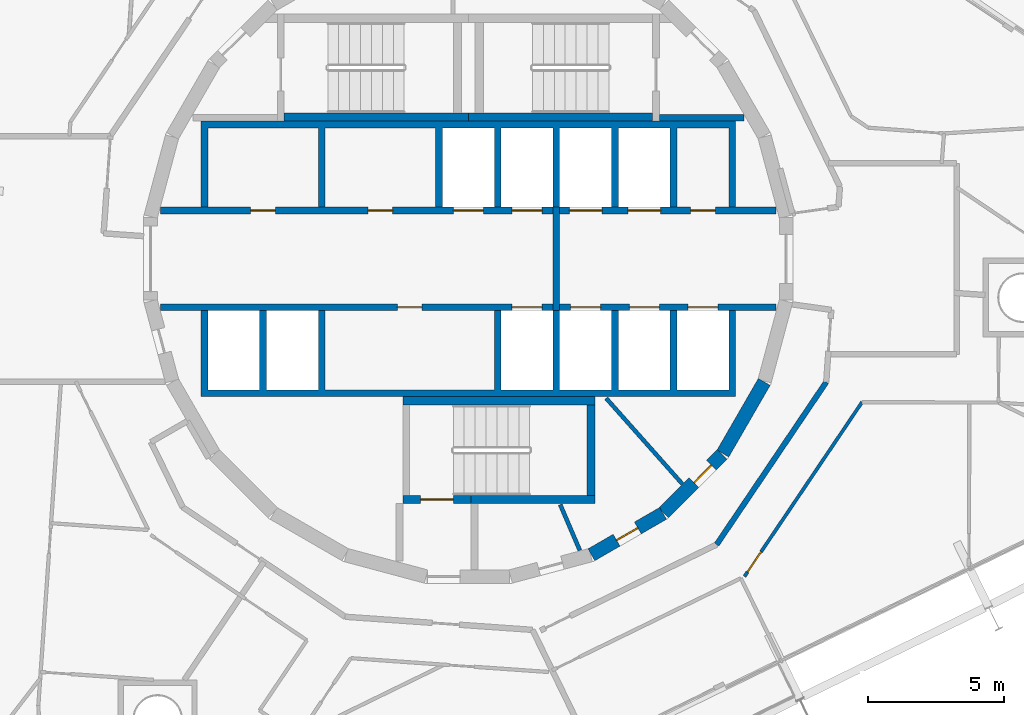
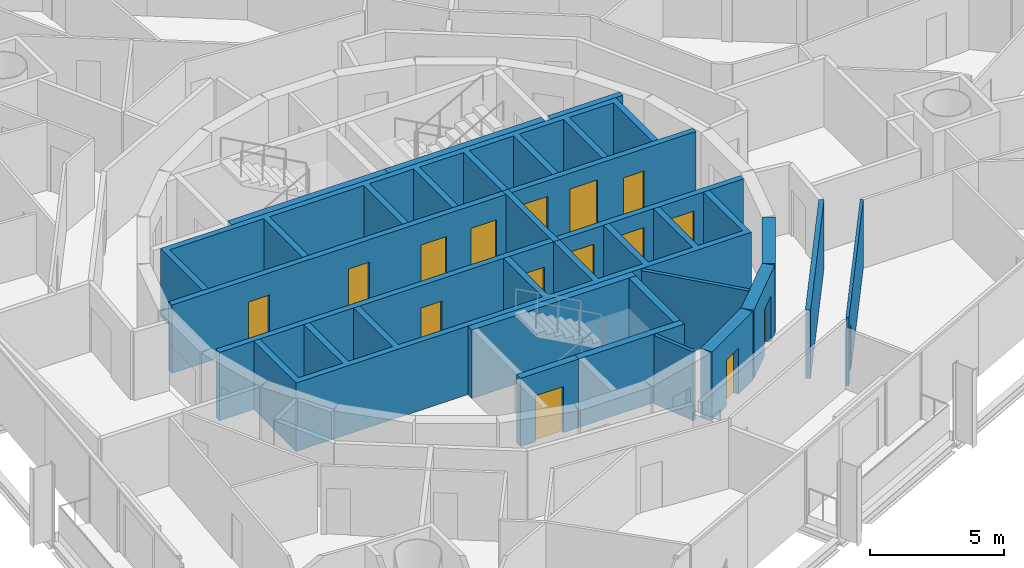
# One storey, part 13 of 17: 21 walls, 16 doors, 16 openings.
"""IFC4 building model written with IfcOpenShell, lengths in metres."""

from ifc_helpers import new_model, si_unit, direction, frame, frame_2d, origin, place, context, subcontext, project, spatial, polyline, rectangle, outline, extrude, material, layer, layer_set, type_object, element, fill, save


model = new_model("IFC4")

# Units and contexts
model_context = context("Model", 3, precision=1e-05, world=origin(), true_north=direction((0.0, 1.0)))
body_context = subcontext(model_context, "Body", "Model", "MODEL_VIEW")
ifc_project = project(units=[si_unit("LENGTHUNIT", "METRE"), si_unit("AREAUNIT", "SQUARE_METRE"), si_unit("VOLUMEUNIT", "CUBIC_METRE"), si_unit("PLANEANGLEUNIT", "RADIAN"), si_unit("MASSUNIT", "GRAM", prefix="KILO")], contexts=[model_context])

# Site, building, storey
site_placement = place(None, origin())
site = spatial("IfcSite", under=ifc_project, at=site_placement, CompositionType="ELEMENT")
building_placement = place(site_placement, origin())
building = spatial("IfcBuilding", under=site, at=building_placement, Name="Spindle Arch Residences", CompositionType="ELEMENT")
storey_placement = place(building_placement, frame((0.0, 0.0, 212.89990234375)))
storey = spatial("IfcBuildingStorey", under=building, at=storey_placement, Name="L54", CompositionType="ELEMENT", Elevation=212.89990234375)

# Wall, opening, door
ifc_material_1 = material(Name="Concrete C50/60", Category="concrete")
ifc_layer_1 = layer(ifc_material_1, 0.5)
ifc_layer_set_1 = layer_set([ifc_layer_1], Name="Core outline wall 500")
wall_type_1 = type_object("IfcWallType", Name="Core outline wall 500", PredefinedType="SHEAR", material=ifc_layer_set_1)
wall_1_placement = place(storey_placement, frame((4.510498046875, -10.84521484375, 0.0), z_axis=(0.0, 0.0, 1.0), x_axis=(0.865975092491, 0.500087131594, 0.0)))
wall_1 = element("IfcWall", 1, at=wall_1_placement, inside=storey, type_object=wall_type_1, Name="Core outline wall 2", PredefinedType="SHEAR", context=body_context, shape_type="SweptSolid", body=[
    extrude(rectangle(XDim=3.03271484375, YDim=0.5, at=frame_2d((1.516357421875, 0.0))), origin(), (0.0, 0.0, 1.0), 3.1201171875),
])
opening_1_placement = place(wall_1_placement, frame((1.06640625, 0.0, 0.0)))
opening_1 = element("IfcOpeningElement", 2, at=opening_1_placement, cuts=wall_1, Name="Opening R5C1-WD08", PredefinedType="OPENING", context=body_context, shape_type="SweptSolid", body=[
    extrude(rectangle(XDim=0.89990234375, YDim=2.10009765625, at=frame_2d((0.449951171875, 1.050048828125))), frame((0.0, 0.260009765625, 0.0), z_axis=(0.0, -1.0, 0.0), x_axis=(1.0, 0.0, 0.0)), (0.0, 0.0, 1.0), 0.52001953125),
])
ifc_material_2 = material(Name="Steel, fire-resisting door", Category="steel")
door_type_1 = type_object("IfcDoorType", Name="Service room door 900x2100", OperationType="SINGLE_SWING_LEFT", PredefinedType="DOOR", material=ifc_material_2)
door_1_placement = place(opening_1_placement, origin())
door_1 = element("IfcDoor", 3, at=door_1_placement, inside=storey, type_object=door_type_1, Name="Service room door R5C1-WD08", OperationType="SINGLE_SWING_RIGHT", OverallHeight=2.10009765625, OverallWidth=0.89990234375, PredefinedType="DOOR", context=body_context, shape_type="SweptSolid", body=[
    extrude(rectangle(XDim=0.89990234375, YDim=2.10009765625, at=frame_2d((0.449951171875, 1.050048828125))), frame((0.0, 0.02490234375, 0.0), z_axis=(0.0, -1.0, 0.0), x_axis=(1.0, 0.0, 0.0)), (0.0, 0.0, 1.0), 0.050048828125),
])
fill(opening_1, door_1)

wall_2_placement = place(storey_placement, frame((7.163818359375, -9.30810546875, 0.0), z_axis=(0.0, 0.0, 1.0), x_axis=(0.707106781187, 0.707106781187, 0.0)))
wall_2 = element("IfcWall", 4, at=wall_2_placement, inside=storey, type_object=wall_type_1, Name="Core outline wall 3", PredefinedType="SHEAR", context=body_context, shape_type="SweptSolid", body=[
    extrude(rectangle(XDim=3.032470703125, YDim=0.5, at=frame_2d((1.51611328125, 0.0))), origin(), (0.0, 0.0, 1.0), 3.1201171875),
])
opening_2_placement = place(wall_2_placement, frame((1.56640625, 0.0, 0.0)))
opening_2 = element("IfcOpeningElement", 5, at=opening_2_placement, cuts=wall_2, Name="Opening R5C1-WD06", PredefinedType="OPENING", context=body_context, shape_type="SweptSolid", body=[
    extrude(rectangle(XDim=0.89990234375, YDim=2.10009765625, at=frame_2d((0.449951171875, 1.050048828125))), frame((0.0, 0.260009765625, 0.0), z_axis=(0.0, -1.0, 0.0), x_axis=(1.0, 0.0, 0.0)), (0.0, 0.0, 1.0), 0.52001953125),
])
door_2_placement = place(opening_2_placement, origin())
door_2 = element("IfcDoor", 6, at=door_2_placement, inside=storey, type_object=door_type_1, Name="Service room door R5C1-WD06", OperationType="SINGLE_SWING_RIGHT", OverallHeight=2.10009765625, OverallWidth=0.89990234375, PredefinedType="DOOR", context=body_context, shape_type="SweptSolid", body=[
    extrude(rectangle(XDim=0.89990234375, YDim=2.10009765625, at=frame_2d((0.449951171875, 1.050048828125))), frame((0.0, 0.02490234375, 0.0), z_axis=(0.0, -1.0, 0.0), x_axis=(1.0, 0.0, 0.0)), (0.0, 0.0, 1.0), 0.050048828125),
])
fill(opening_2, door_2)

# Walls
wall_3_placement = place(storey_placement, frame((9.32861328125, -7.13671875, 0.0), z_axis=(0.0, 0.0, 1.0), x_axis=(0.500087131594, 0.865975092491, 0.0)))
element("IfcWall", 7, at=wall_3_placement, inside=storey, type_object=wall_type_1, Name="Core outline wall 4", PredefinedType="SHEAR", context=body_context, shape_type="SweptSolid", body=[
    extrude(rectangle(XDim=3.03271484375, YDim=0.5, at=frame_2d((1.516357421875, 0.0))), origin(), (0.0, 0.0, 1.0), 3.1201171875),
])
ifc_material_3 = material(Name="Calcium silicate block, plastered")
ifc_layer_2 = layer(ifc_material_3, 0.199951171875)
ifc_layer_set_2 = layer_set([ifc_layer_2], Name="Corridor wall 200")
wall_type_2 = type_object("IfcWallType", Name="Corridor wall 200", PredefinedType="STANDARD", material=ifc_layer_set_2)
wall_4_placement = place(storey_placement, frame((9.101318359375, -10.469970703125, 0.0), z_axis=(0.0, 0.0, 1.0), x_axis=(0.559195469534, 0.829035841718, 0.0)))
element("IfcWall", 8, at=wall_4_placement, inside=storey, type_object=wall_type_2, Name="Corridor wall R5C1-W021", PredefinedType="STANDARD", context=body_context, shape_type="SweptSolid", body=[
    extrude(rectangle(XDim=7.18115234375, YDim=0.199951171875, at=frame_2d((3.590576171875, 0.0))), origin(), (0.0, 0.0, 1.0), 3.1201171875),
])

# Wall, openings, doors
ifc_material_4 = material(Name="Concrete C40/50", Category="concrete")
ifc_layer_3 = layer(ifc_material_4, 0.25)
ifc_layer_set_3 = layer_set([ifc_layer_3], Name="Fire-lift lobby wall 250")
wall_type_3 = type_object("IfcWallType", Name="Fire-lift lobby wall 250", PredefinedType="SHEAR", material=ifc_layer_set_3)
wall_5_placement = place(storey_placement, frame((3.35009765625, 1.77490234375, 0.0), z_axis=(0.0, 0.0, 1.0), x_axis=(1.0, 0.0, 0.0)))
wall_5 = element("IfcWall", 9, at=wall_5_placement, inside=storey, type_object=wall_type_3, Name="Lift shaft front wall NE", PredefinedType="SHEAR", context=body_context, shape_type="SweptSolid", body=[
    extrude(rectangle(XDim=7.929931640625, YDim=0.25, at=frame_2d((3.96484375, 0.0))), origin(), (0.0, 0.0, 1.0), 3.1201171875),
])
opening_3_placement = place(wall_5_placement, frame((0.35009765625, 0.0, 0.0)))
opening_3 = element("IfcOpeningElement", 10, at=opening_3_placement, cuts=wall_5, Name="Opening R5C1-SLD01", PredefinedType="OPENING", context=body_context, shape_type="SweptSolid", body=[
    extrude(rectangle(XDim=1.199951171875, YDim=2.39990234375, at=frame_2d((0.60009765625, 1.199951171875))), frame((0.0, 0.135009765625, 0.0), z_axis=(0.0, -1.0, 0.0), x_axis=(1.0, 0.0, 0.0)), (0.0, 0.0, 1.0), 0.27001953125),
])
opening_4_placement = place(wall_5_placement, frame((2.5, 0.0, 0.0)))
opening_4 = element("IfcOpeningElement", 11, at=opening_4_placement, cuts=wall_5, Name="Opening R5C1-SLD02", PredefinedType="OPENING", context=body_context, shape_type="SweptSolid", body=[
    extrude(rectangle(XDim=1.199951171875, YDim=2.39990234375, at=frame_2d((0.60009765625, 1.199951171875))), frame((0.0, 0.135009765625, 0.0), z_axis=(0.0, -1.0, 0.0), x_axis=(1.0, 0.0, 0.0)), (0.0, 0.0, 1.0), 0.27001953125),
])
opening_5_placement = place(wall_5_placement, frame((4.800048828125, 0.0, 0.0)))
opening_5 = element("IfcOpeningElement", 12, at=opening_5_placement, cuts=wall_5, Name="Opening R5C1-WD03", PredefinedType="OPENING", context=body_context, shape_type="SweptSolid", body=[
    extrude(rectangle(XDim=0.89990234375, YDim=2.10009765625, at=frame_2d((0.449951171875, 1.050048828125))), frame((0.0, 0.135009765625, 0.0), z_axis=(0.0, -1.0, 0.0), x_axis=(1.0, 0.0, 0.0)), (0.0, 0.0, 1.0), 0.27001953125),
])
ifc_material_5 = material(Name="Steel, fire-resisting landing door", Category="steel")
door_type_2 = type_object("IfcDoorType", Name="Service lift landing door 1200x2400", OperationType="DOUBLE_DOOR_SLIDING", PredefinedType="DOOR", material=ifc_material_5)
door_3_placement = place(opening_3_placement, origin())
door_3 = element("IfcDoor", 13, at=door_3_placement, inside=storey, type_object=door_type_2, Name="Service lift landing door R5C1-SLD01", OperationType="DOUBLE_DOOR_SLIDING", OverallHeight=2.39990234375, OverallWidth=1.199951171875, PredefinedType="DOOR", context=body_context, shape_type="SweptSolid", body=[
    extrude(rectangle(XDim=1.199951171875, YDim=2.39990234375, at=frame_2d((0.60009765625, 1.199951171875))), frame((0.0, 0.02490234375, 0.0), z_axis=(0.0, -1.0, 0.0), x_axis=(1.0, 0.0, 0.0)), (0.0, 0.0, 1.0), 0.050048828125),
])
fill(opening_3, door_3)
door_4_placement = place(opening_4_placement, origin())
door_4 = element("IfcDoor", 14, at=door_4_placement, inside=storey, type_object=door_type_2, Name="Service lift landing door R5C1-SLD02", OperationType="DOUBLE_DOOR_SLIDING", OverallHeight=2.39990234375, OverallWidth=1.199951171875, PredefinedType="DOOR", context=body_context, shape_type="SweptSolid", body=[
    extrude(rectangle(XDim=1.199951171875, YDim=2.39990234375, at=frame_2d((0.60009765625, 1.199951171875))), frame((0.0, 0.02490234375, 0.0), z_axis=(0.0, -1.0, 0.0), x_axis=(1.0, 0.0, 0.0)), (0.0, 0.0, 1.0), 0.050048828125),
])
fill(opening_4, door_4)
door_5_placement = place(opening_5_placement, origin())
door_5 = element("IfcDoor", 15, at=door_5_placement, inside=storey, type_object=door_type_1, Name="Service room door R5C1-WD03", OperationType="SINGLE_SWING_LEFT", OverallHeight=2.10009765625, OverallWidth=0.89990234375, PredefinedType="DOOR", context=body_context, shape_type="SweptSolid", body=[
    extrude(rectangle(XDim=0.89990234375, YDim=2.10009765625, at=frame_2d((0.449951171875, 1.050048828125))), frame((0.0, 0.02490234375, 0.0), z_axis=(0.0, -1.0, 0.0), x_axis=(1.0, 0.0, 0.0)), (0.0, 0.0, 1.0), 0.050048828125),
])
fill(opening_5, door_5)

# Wall
wall_6_placement = place(storey_placement, frame((3.22509765625, -1.89990234375, 0.0), z_axis=(0.0, 0.0, 1.0), x_axis=(0.0, 1.0, 0.0)))
element("IfcWall", 16, at=wall_6_placement, inside=storey, type_object=wall_type_3, Name="Fire-fighting lobby partition", PredefinedType="SHEAR", context=body_context, shape_type="SweptSolid", body=[
    extrude(rectangle(XDim=3.7998046875, YDim=0.25, at=frame_2d((1.89990234375, 0.0))), origin(), (0.0, 0.0, 1.0), 3.1201171875),
])

# Wall, openings, doors
ifc_material_6 = material(Name="Concrete C50/60", Category="concrete")
ifc_layer_4 = layer(ifc_material_6, 0.25)
ifc_layer_set_4 = layer_set([ifc_layer_4], Name="Fire-lift shaft wall 250")
wall_type_4 = type_object("IfcWallType", Name="Fire-lift shaft wall 250", PredefinedType="SHEAR", material=ifc_layer_set_4)
wall_7_placement = place(storey_placement, frame((3.35009765625, -1.77490234375, 0.0), z_axis=(0.0, 0.0, 1.0), x_axis=(1.0, 0.0, 0.0)))
wall_7 = element("IfcWall", 17, at=wall_7_placement, inside=storey, type_object=wall_type_4, Name="Lift shaft front wall SE", PredefinedType="SHEAR", context=body_context, shape_type="SweptSolid", body=[
    extrude(rectangle(XDim=7.929931640625, YDim=0.25, at=frame_2d((3.96484375, 0.0))), origin(), (0.0, 0.0, 1.0), 3.1201171875),
])
opening_6_placement = place(wall_7_placement, frame((0.39990234375, 0.0, 0.0)))
opening_6 = element("IfcOpeningElement", 18, at=opening_6_placement, cuts=wall_7, Name="Opening R5C1-FLD01", PredefinedType="OPENING", context=body_context, shape_type="SweptSolid", body=[
    extrude(rectangle(XDim=1.10009765625, YDim=2.39990234375, at=frame_2d((0.550048828125, 1.199951171875))), frame((0.0, 0.135009765625, 0.0), z_axis=(0.0, -1.0, 0.0), x_axis=(1.0, 0.0, 0.0)), (0.0, 0.0, 1.0), 0.27001953125),
])
opening_7_placement = place(wall_7_placement, frame((2.550048828125, 0.0, 0.0)))
opening_7 = element("IfcOpeningElement", 19, at=opening_7_placement, cuts=wall_7, Name="Opening R5C1-FLD02", PredefinedType="OPENING", context=body_context, shape_type="SweptSolid", body=[
    extrude(rectangle(XDim=1.10009765625, YDim=2.39990234375, at=frame_2d((0.550048828125, 1.199951171875))), frame((0.0, 0.135009765625, 0.0), z_axis=(0.0, -1.0, 0.0), x_axis=(1.0, 0.0, 0.0)), (0.0, 0.0, 1.0), 0.27001953125),
])
opening_8_placement = place(wall_7_placement, frame((4.699951171875, 0.0, 0.0)))
opening_8 = element("IfcOpeningElement", 20, at=opening_8_placement, cuts=wall_7, Name="Opening R5C1-FLD03", PredefinedType="OPENING", context=body_context, shape_type="SweptSolid", body=[
    extrude(rectangle(XDim=1.10009765625, YDim=2.39990234375, at=frame_2d((0.550048828125, 1.199951171875))), frame((0.0, 0.135009765625, 0.0), z_axis=(0.0, -1.0, 0.0), x_axis=(1.0, 0.0, 0.0)), (0.0, 0.0, 1.0), 0.27001953125),
])
ifc_material_7 = material(Name="Steel, fire-resisting landing door", Category="steel")
door_type_3 = type_object("IfcDoorType", Name="Fire-fighting lift landing door 1100x2400", OperationType="DOUBLE_DOOR_SLIDING", PredefinedType="DOOR", material=ifc_material_7)
door_6_placement = place(opening_6_placement, origin())
door_6 = element("IfcDoor", 21, at=door_6_placement, inside=storey, type_object=door_type_3, Name="Fire-fighting lift landing door R5C1-FLD01", OperationType="DOUBLE_DOOR_SLIDING", OverallHeight=2.39990234375, OverallWidth=1.10009765625, PredefinedType="DOOR", context=body_context, shape_type="SweptSolid", body=[
    extrude(rectangle(XDim=1.10009765625, YDim=2.39990234375, at=frame_2d((0.550048828125, 1.199951171875))), frame((0.0, 0.02490234375, 0.0), z_axis=(0.0, -1.0, 0.0), x_axis=(1.0, 0.0, 0.0)), (0.0, 0.0, 1.0), 0.050048828125),
])
fill(opening_6, door_6)
door_7_placement = place(opening_7_placement, origin())
door_7 = element("IfcDoor", 22, at=door_7_placement, inside=storey, type_object=door_type_3, Name="Fire-fighting lift landing door R5C1-FLD02", OperationType="DOUBLE_DOOR_SLIDING", OverallHeight=2.39990234375, OverallWidth=1.10009765625, PredefinedType="DOOR", context=body_context, shape_type="SweptSolid", body=[
    extrude(rectangle(XDim=1.10009765625, YDim=2.39990234375, at=frame_2d((0.550048828125, 1.199951171875))), frame((0.0, 0.02490234375, 0.0), z_axis=(0.0, -1.0, 0.0), x_axis=(1.0, 0.0, 0.0)), (0.0, 0.0, 1.0), 0.050048828125),
])
fill(opening_7, door_7)
door_8_placement = place(opening_8_placement, origin())
door_8 = element("IfcDoor", 23, at=door_8_placement, inside=storey, type_object=door_type_3, Name="Fire-fighting lift landing door R5C1-FLD03", OperationType="DOUBLE_DOOR_SLIDING", OverallHeight=2.39990234375, OverallWidth=1.10009765625, PredefinedType="DOOR", context=body_context, shape_type="SweptSolid", body=[
    extrude(rectangle(XDim=1.10009765625, YDim=2.39990234375, at=frame_2d((0.550048828125, 1.199951171875))), frame((0.0, 0.02490234375, 0.0), z_axis=(0.0, -1.0, 0.0), x_axis=(1.0, 0.0, 0.0)), (0.0, 0.0, 1.0), 0.050048828125),
])
fill(opening_8, door_8)

# Wall, opening, door
ifc_material_8 = material(Name="Plasterboard on steel studs", Category="steel")
ifc_layer_5 = layer(ifc_material_8, 0.1201171875)
ifc_layer_set_5 = layer_set([ifc_layer_5], Name="Flat partition 120")
wall_type_5 = type_object("IfcWallType", Name="Flat partition 120", PredefinedType="PARTITIONING", material=ifc_layer_set_5)
wall_8_placement = place(storey_placement, frame((10.1201171875, -11.641845703125, 0.0), z_axis=(0.0, 0.0, 1.0), x_axis=(0.559201404667, 0.829031838362, 0.0)))
wall_8 = element("IfcWall", 24, at=wall_8_placement, inside=storey, type_object=wall_type_5, Name="Flat partition R5C1-W094", PredefinedType="PARTITIONING", context=body_context, shape_type="SweptSolid", body=[
    extrude(rectangle(XDim=7.708740234375, YDim=0.1201171875, at=frame_2d((3.8544921875, 0.0))), origin(), (0.0, 0.0, 1.0), 3.1201171875),
])
opening_9_placement = place(wall_8_placement, frame((0.199951171875, 0.0, 0.0)))
opening_9 = element("IfcOpeningElement", 25, at=opening_9_placement, cuts=wall_8, Name="Opening R5C1-ID23", PredefinedType="OPENING", context=body_context, shape_type="SweptSolid", body=[
    extrude(rectangle(XDim=0.89990234375, YDim=2.10009765625, at=frame_2d((0.449951171875, 1.050048828125))), frame((0.0, 0.070068359375, 0.0), z_axis=(0.0, -1.0, 0.0), x_axis=(1.0, 0.0, 0.0)), (0.0, 0.0, 1.0), 0.14013671875),
])
ifc_material_9 = material(Name="Timber door set", Category="wood")
door_type_4 = type_object("IfcDoorType", Name="Room door 900x2100", OperationType="NOTDEFINED", PredefinedType="DOOR", material=ifc_material_9)
door_9_placement = place(opening_9_placement, origin())
door_9 = element("IfcDoor", 26, at=door_9_placement, inside=storey, type_object=door_type_4, Name="Room door R5C1-ID23", OperationType="SINGLE_SWING_RIGHT", OverallHeight=2.10009765625, OverallWidth=0.89990234375, PredefinedType="DOOR", context=body_context, shape_type="SweptSolid", body=[
    extrude(rectangle(XDim=0.89990234375, YDim=2.10009765625, at=frame_2d((0.449951171875, 1.050048828125))), frame((0.0, 0.02490234375, 0.0), z_axis=(0.0, -1.0, 0.0), x_axis=(1.0, 0.0, 0.0)), (0.0, 0.0, 1.0), 0.050048828125),
])
fill(opening_9, door_9)

# Wall, openings, doors
ifc_material_10 = material(Name="Concrete C50/60", Category="concrete")
ifc_layer_6 = layer(ifc_material_10, 0.25)
ifc_layer_set_6 = layer_set([ifc_layer_6], Name="Lift shaft wall 250")
wall_type_6 = type_object("IfcWallType", Name="Lift shaft wall 250", PredefinedType="SHEAR", material=ifc_layer_set_6)
wall_9_placement = place(storey_placement, frame((-11.280029296875, 1.77490234375, 0.0), z_axis=(0.0, 0.0, 1.0), x_axis=(1.0, 0.0, 0.0)))
wall_9 = element("IfcWall", 27, at=wall_9_placement, inside=storey, type_object=wall_type_6, Name="Lift shaft front wall NW", PredefinedType="SHEAR", context=body_context, shape_type="SweptSolid", body=[
    extrude(rectangle(XDim=14.380126953125, YDim=0.25, at=frame_2d((7.18994140625, 0.0))), origin(), (0.0, 0.0, 1.0), 3.1201171875),
])
opening_10_placement = place(wall_9_placement, frame((10.72998046875, 0.0, 0.0)))
opening_10 = element("IfcOpeningElement", 28, at=opening_10_placement, cuts=wall_9, Name="Opening R5C1-LD01", PredefinedType="OPENING", context=body_context, shape_type="SweptSolid", body=[
    extrude(rectangle(XDim=1.10009765625, YDim=2.10009765625, at=frame_2d((0.550048828125, 1.050048828125))), frame((0.0, 0.135009765625, 0.0), z_axis=(0.0, -1.0, 0.0), x_axis=(1.0, 0.0, 0.0)), (0.0, 0.0, 1.0), 0.27001953125),
])
opening_11_placement = place(wall_9_placement, frame((12.8798828125, 0.0, 0.0)))
opening_11 = element("IfcOpeningElement", 29, at=opening_11_placement, cuts=wall_9, Name="Opening R5C1-LD02", PredefinedType="OPENING", context=body_context, shape_type="SweptSolid", body=[
    extrude(rectangle(XDim=1.10009765625, YDim=2.10009765625, at=frame_2d((0.550048828125, 1.050048828125))), frame((0.0, 0.135009765625, 0.0), z_axis=(0.0, -1.0, 0.0), x_axis=(1.0, 0.0, 0.0)), (0.0, 0.0, 1.0), 0.27001953125),
])
opening_12_placement = place(wall_9_placement, frame((3.304931640625, 0.0, 0.0)))
opening_12 = element("IfcOpeningElement", 30, at=opening_12_placement, cuts=wall_9, Name="Opening R5C1-WD01", PredefinedType="OPENING", context=body_context, shape_type="SweptSolid", body=[
    extrude(rectangle(XDim=0.89990234375, YDim=2.10009765625, at=frame_2d((0.449951171875, 1.050048828125))), frame((0.0, 0.135009765625, 0.0), z_axis=(0.0, -1.0, 0.0), x_axis=(1.0, 0.0, 0.0)), (0.0, 0.0, 1.0), 0.27001953125),
])
opening_13_placement = place(wall_9_placement, frame((7.60498046875, 0.0, 0.0)))
opening_13 = element("IfcOpeningElement", 31, at=opening_13_placement, cuts=wall_9, Name="Opening R5C1-WD02", PredefinedType="OPENING", context=body_context, shape_type="SweptSolid", body=[
    extrude(rectangle(XDim=0.89990234375, YDim=2.10009765625, at=frame_2d((0.449951171875, 1.050048828125))), frame((0.0, 0.135009765625, 0.0), z_axis=(0.0, -1.0, 0.0), x_axis=(1.0, 0.0, 0.0)), (0.0, 0.0, 1.0), 0.27001953125),
])
ifc_material_11 = material(Name="Steel, fire-resisting landing door", Category="steel")
door_type_5 = type_object("IfcDoorType", Name="Lift landing door 1100x2100", OperationType="DOUBLE_DOOR_SLIDING", PredefinedType="DOOR", material=ifc_material_11)
door_10_placement = place(opening_10_placement, origin())
door_10 = element("IfcDoor", 32, at=door_10_placement, inside=storey, type_object=door_type_5, Name="Lift landing door R5C1-LD01", OperationType="DOUBLE_DOOR_SLIDING", OverallHeight=2.10009765625, OverallWidth=1.10009765625, PredefinedType="DOOR", context=body_context, shape_type="SweptSolid", body=[
    extrude(rectangle(XDim=1.10009765625, YDim=2.10009765625, at=frame_2d((0.550048828125, 1.050048828125))), frame((0.0, 0.02490234375, 0.0), z_axis=(0.0, -1.0, 0.0), x_axis=(1.0, 0.0, 0.0)), (0.0, 0.0, 1.0), 0.050048828125),
])
fill(opening_10, door_10)
door_11_placement = place(opening_11_placement, origin())
door_11 = element("IfcDoor", 33, at=door_11_placement, inside=storey, type_object=door_type_5, Name="Lift landing door R5C1-LD02", OperationType="DOUBLE_DOOR_SLIDING", OverallHeight=2.10009765625, OverallWidth=1.10009765625, PredefinedType="DOOR", context=body_context, shape_type="SweptSolid", body=[
    extrude(rectangle(XDim=1.10009765625, YDim=2.10009765625, at=frame_2d((0.550048828125, 1.050048828125))), frame((0.0, 0.02490234375, 0.0), z_axis=(0.0, -1.0, 0.0), x_axis=(1.0, 0.0, 0.0)), (0.0, 0.0, 1.0), 0.050048828125),
])
fill(opening_11, door_11)
door_12_placement = place(opening_12_placement, origin())
door_12 = element("IfcDoor", 34, at=door_12_placement, inside=storey, type_object=door_type_1, Name="Service room door R5C1-WD01", OperationType="SINGLE_SWING_LEFT", OverallHeight=2.10009765625, OverallWidth=0.89990234375, PredefinedType="DOOR", context=body_context, shape_type="SweptSolid", body=[
    extrude(rectangle(XDim=0.89990234375, YDim=2.10009765625, at=frame_2d((0.449951171875, 1.050048828125))), frame((0.0, 0.02490234375, 0.0), z_axis=(0.0, -1.0, 0.0), x_axis=(1.0, 0.0, 0.0)), (0.0, 0.0, 1.0), 0.050048828125),
])
fill(opening_12, door_12)
door_13_placement = place(opening_13_placement, origin())
door_13 = element("IfcDoor", 35, at=door_13_placement, inside=storey, type_object=door_type_1, Name="Service room door R5C1-WD02", OperationType="SINGLE_SWING_RIGHT", OverallHeight=2.10009765625, OverallWidth=0.89990234375, PredefinedType="DOOR", context=body_context, shape_type="SweptSolid", body=[
    extrude(rectangle(XDim=0.89990234375, YDim=2.10009765625, at=frame_2d((0.449951171875, 1.050048828125))), frame((0.0, 0.02490234375, 0.0), z_axis=(0.0, -1.0, 0.0), x_axis=(1.0, 0.0, 0.0)), (0.0, 0.0, 1.0), 0.050048828125),
])
fill(opening_13, door_13)

wall_10_placement = place(storey_placement, frame((-11.280029296875, -1.77490234375, 0.0), z_axis=(0.0, 0.0, 1.0), x_axis=(1.0, 0.0, 0.0)))
wall_10 = element("IfcWall", 36, at=wall_10_placement, inside=storey, type_object=wall_type_6, Name="Lift shaft front wall SW", PredefinedType="SHEAR", context=body_context, shape_type="SweptSolid", body=[
    extrude(rectangle(XDim=14.380126953125, YDim=0.25, at=frame_2d((7.18994140625, 0.0))), origin(), (0.0, 0.0, 1.0), 3.1201171875),
])
opening_14_placement = place(wall_10_placement, frame((12.8798828125, 0.0, 0.0)))
opening_14 = element("IfcOpeningElement", 37, at=opening_14_placement, cuts=wall_10, Name="Opening R5C1-LD03", PredefinedType="OPENING", context=body_context, shape_type="SweptSolid", body=[
    extrude(rectangle(XDim=1.10009765625, YDim=2.10009765625, at=frame_2d((0.550048828125, 1.050048828125))), frame((0.0, 0.135009765625, 0.0), z_axis=(0.0, -1.0, 0.0), x_axis=(1.0, 0.0, 0.0)), (0.0, 0.0, 1.0), 0.27001953125),
])
opening_15_placement = place(wall_10_placement, frame((8.679931640625, 0.0, 0.0)))
opening_15 = element("IfcOpeningElement", 38, at=opening_15_placement, cuts=wall_10, Name="Opening R5C1-WD04", PredefinedType="OPENING", context=body_context, shape_type="SweptSolid", body=[
    extrude(rectangle(XDim=0.89990234375, YDim=2.10009765625, at=frame_2d((0.449951171875, 1.050048828125))), frame((0.0, 0.135009765625, 0.0), z_axis=(0.0, -1.0, 0.0), x_axis=(1.0, 0.0, 0.0)), (0.0, 0.0, 1.0), 0.27001953125),
])
door_14_placement = place(opening_14_placement, origin())
door_14 = element("IfcDoor", 39, at=door_14_placement, inside=storey, type_object=door_type_5, Name="Lift landing door R5C1-LD03", OperationType="DOUBLE_DOOR_SLIDING", OverallHeight=2.10009765625, OverallWidth=1.10009765625, PredefinedType="DOOR", context=body_context, shape_type="SweptSolid", body=[
    extrude(rectangle(XDim=1.10009765625, YDim=2.10009765625, at=frame_2d((0.550048828125, 1.050048828125))), frame((0.0, 0.02490234375, 0.0), z_axis=(0.0, -1.0, 0.0), x_axis=(1.0, 0.0, 0.0)), (0.0, 0.0, 1.0), 0.050048828125),
])
fill(opening_14, door_14)
door_15_placement = place(opening_15_placement, origin())
door_15 = element("IfcDoor", 40, at=door_15_placement, inside=storey, type_object=door_type_1, Name="Service room door R5C1-WD04", OperationType="SINGLE_SWING_RIGHT", OverallHeight=2.10009765625, OverallWidth=0.89990234375, PredefinedType="DOOR", context=body_context, shape_type="SweptSolid", body=[
    extrude(rectangle(XDim=0.89990234375, YDim=2.10009765625, at=frame_2d((0.449951171875, 1.050048828125))), frame((0.0, 0.02490234375, 0.0), z_axis=(0.0, -1.0, 0.0), x_axis=(1.0, 0.0, 0.0)), (0.0, 0.0, 1.0), 0.050048828125),
])
fill(opening_15, door_15)

# Walls
ifc_material_12 = material(Name="Concrete C50/60", Category="concrete")
wall_type_7 = type_object("IfcWallType", Name="Lift shaft wall profile", PredefinedType="SHEAR", material=ifc_material_12)
wall_11_placement = place(storey_placement, origin())
element("IfcWall", 41, at=wall_11_placement, inside=storey, type_object=wall_type_7, Name="Lift shaft walls N", PredefinedType="SHEAR", context=body_context, shape_type="SweptSolid", body=[
    extrude(outline(polyline([(-9.550048828125, 4.800048828125), (-5.5, 4.800048828125), (-5.5, 1.89990234375), (-5.25, 1.89990234375), (-5.25, 4.800048828125), (-1.199951171875, 4.800048828125), (-1.199951171875, 1.89990234375), (-0.949951171875, 1.89990234375), (-0.949951171875, 4.800048828125), (0.949951171875, 4.800048828125), (0.949951171875, 1.89990234375), (1.199951171875, 1.89990234375), (1.199951171875, 4.800048828125), (3.10009765625, 4.800048828125), (3.10009765625, 1.89990234375), (3.35009765625, 1.89990234375), (3.35009765625, 4.800048828125), (5.25, 4.800048828125), (5.25, 1.89990234375), (5.5, 1.89990234375), (5.5, 4.800048828125), (7.39990234375, 4.800048828125), (7.39990234375, 1.89990234375), (7.64990234375, 1.89990234375), (7.64990234375, 4.800048828125), (9.550048828125, 4.800048828125), (9.550048828125, 1.89990234375), (9.800048828125, 1.89990234375), (9.800048828125, 4.800048828125), (9.800048828125, 5.050048828125), (-9.800048828125, 5.050048828125), (-9.800048828125, 4.800048828125), (-9.800048828125, 1.89990234375), (-9.550048828125, 1.89990234375), (-9.550048828125, 4.800048828125)])), origin(), (0.0, 0.0, 1.0), 3.1201171875),
])
wall_12_placement = place(storey_placement, origin())
element("IfcWall", 42, at=wall_12_placement, inside=storey, type_object=wall_type_7, Name="Lift shaft walls S", PredefinedType="SHEAR", context=body_context, shape_type="SweptSolid", body=[
    extrude(outline(polyline([(9.800048828125, -5.050048828125), (9.800048828125, -4.800048828125), (9.800048828125, -1.89990234375), (9.550048828125, -1.89990234375), (9.550048828125, -4.800048828125), (7.64990234375, -4.800048828125), (7.64990234375, -1.89990234375), (7.39990234375, -1.89990234375), (7.39990234375, -4.800048828125), (5.5, -4.800048828125), (5.5, -1.89990234375), (5.25, -1.89990234375), (5.25, -4.800048828125), (3.35009765625, -4.800048828125), (3.35009765625, -1.89990234375), (3.10009765625, -1.89990234375), (3.10009765625, -4.800048828125), (1.199951171875, -4.800048828125), (1.199951171875, -1.89990234375), (0.949951171875, -1.89990234375), (0.949951171875, -4.800048828125), (-5.25, -4.800048828125), (-5.25, -1.89990234375), (-5.5, -1.89990234375), (-5.5, -4.800048828125), (-7.39990234375, -4.800048828125), (-7.39990234375, -1.89990234375), (-7.64990234375, -1.89990234375), (-7.64990234375, -4.800048828125), (-9.550048828125, -4.800048828125), (-9.550048828125, -1.89990234375), (-9.800048828125, -1.89990234375), (-9.800048828125, -4.800048828125), (-9.800048828125, -5.050048828125), (9.800048828125, -5.050048828125)])), origin(), (0.0, 0.0, 1.0), 3.1201171875),
])
ifc_material_13 = material(Name="Concrete C25/30", Category="concrete")
ifc_layer_7 = layer(ifc_material_13, 0.14990234375)
ifc_layer_set_7 = layer_set([ifc_layer_7], Name="Service room partition 150")
wall_type_8 = type_object("IfcWallType", Name="Service room partition 150", PredefinedType="PARTITIONING", material=ifc_layer_set_7)
wall_13_placement = place(storey_placement, frame((7.84228515625, -8.24755859375, 0.0), z_axis=(0.0, 0.0, 1.0), x_axis=(-0.66446128181, 0.747322691329, 0.0)))
element("IfcWall", 43, at=wall_13_placement, inside=storey, type_object=wall_type_8, Name="Core service room partition", PredefinedType="PARTITIONING", context=body_context, shape_type="SweptSolid", body=[
    extrude(rectangle(XDim=4.198486328125, YDim=0.14990234375, at=frame_2d((2.09912109375, 0.0))), origin(), (0.0, 0.0, 1.0), 3.1201171875),
])
wall_14_placement = place(storey_placement, frame((3.366943359375, -9.0068359375, 0.0), z_axis=(0.0, 0.0, 1.0), x_axis=(0.394387482265, -0.918944238696, 0.0)))
element("IfcWall", 44, at=wall_14_placement, inside=storey, type_object=wall_type_8, Name="Core service room partition", PredefinedType="PARTITIONING", context=body_context, shape_type="SweptSolid", body=[
    extrude(rectangle(XDim=1.824951171875, YDim=0.14990234375, at=frame_2d((0.91259765625, 0.0))), origin(), (0.0, 0.0, 1.0), 3.1201171875),
])
ifc_material_14 = material(Name="Concrete C40/50", Category="concrete")
ifc_layer_8 = layer(ifc_material_14, 0.25)
ifc_layer_set_8 = layer_set([ifc_layer_8], Name="Stair airlock wall 250")
wall_type_9 = type_object("IfcWallType", Name="Stair airlock wall 250", PredefinedType="SHEAR", material=ifc_layer_set_8)
wall_15_placement = place(storey_placement, frame((7.0, 5.175048828125, 0.0), z_axis=(0.0, 0.0, 1.0), x_axis=(1.0, 0.0, 0.0)))
element("IfcWall", 45, at=wall_15_placement, inside=storey, type_object=wall_type_9, Name="Stair ST-1 airlock wall S", PredefinedType="SHEAR", context=body_context, shape_type="SweptSolid", body=[
    extrude(rectangle(XDim=3.10009765625, YDim=0.25, at=frame_2d((1.550048828125, 0.0))), origin(), (0.0, 0.0, 1.0), 3.1201171875),
])
ifc_material_15 = material(Name="Concrete C50/60", Category="concrete")
ifc_layer_9 = layer(ifc_material_15, 0.300048828125)
ifc_layer_set_9 = layer_set([ifc_layer_9], Name="Stair enclosure wall 300")
wall_type_10 = type_object("IfcWallType", Name="Stair enclosure wall 300", PredefinedType="SHEAR", material=ifc_layer_set_9)
for number, where, z_axis, x_axis, name in (
    (46, (0.0, 5.199951171875, 0.0), (0.0, 0.0, 1.0), (1.0, 0.0, 0.0), "Stair ST-1 enclosure wall S"),
    (47, (-6.75, 5.199951171875, 0.0), (0.0, 0.0, 1.0), (1.0, 0.0, 0.0), "Stair ST-2 enclosure wall S"),
):
    element("IfcWall", number, at=place(storey_placement, frame(where, z_axis=z_axis, x_axis=x_axis)), inside=storey, type_object=wall_type_10, Name=name, PredefinedType="SHEAR", context=body_context, shape_type="SweptSolid", body=[
        extrude(rectangle(XDim=6.75, YDim=0.300048828125, at=frame_2d((3.375, 0.0))), origin(), (0.0, 0.0, 1.0), 3.1201171875),
    ])
wall_16_placement = place(storey_placement, frame((-2.39990234375, -5.199951171875, 0.0), z_axis=(0.0, 0.0, 1.0), x_axis=(1.0, 0.0, 0.0)))
element("IfcWall", 48, at=wall_16_placement, inside=storey, type_object=wall_type_10, Name="Stair ST-3 enclosure wall N", PredefinedType="SHEAR", context=body_context, shape_type="SweptSolid", body=[
    extrude(rectangle(XDim=7.0498046875, YDim=0.300048828125, at=frame_2d((3.52490234375, 0.0))), origin(), (0.0, 0.0, 1.0), 3.1201171875),
])
wall_17_placement = place(storey_placement, frame((4.5, -8.669921875, 0.0), z_axis=(0.0, 0.0, 1.0), x_axis=(0.0, 1.0, 0.0)))
element("IfcWall", 49, at=wall_17_placement, inside=storey, type_object=wall_type_10, Name="Stair ST-3 enclosure wall E", PredefinedType="SHEAR", context=body_context, shape_type="SweptSolid", body=[
    extrude(rectangle(XDim=3.31982421875, YDim=0.300048828125, at=frame_2d((1.659912109375, 0.0))), origin(), (0.0, 0.0, 1.0), 3.1201171875),
])
wall_18_placement = place(storey_placement, frame((0.10009765625, -8.820068359375, 0.0), z_axis=(0.0, 0.0, 1.0), x_axis=(1.0, 0.0, 0.0)))
element("IfcWall", 50, at=wall_18_placement, inside=storey, type_object=wall_type_10, Name="Stair ST-3 enclosure wall S", PredefinedType="SHEAR", context=body_context, shape_type="SweptSolid", body=[
    extrude(rectangle(XDim=4.5498046875, YDim=0.300048828125, at=frame_2d((2.27490234375, 0.0))), origin(), (0.0, 0.0, 1.0), 3.1201171875),
])

# Wall, opening, door
wall_19_placement = place(storey_placement, frame((-2.39990234375, -8.820068359375, 0.0), z_axis=(0.0, 0.0, 1.0), x_axis=(1.0, 0.0, 0.0)))
wall_19 = element("IfcWall", 51, at=wall_19_placement, inside=storey, type_object=wall_type_10, Name="Stair ST-3 door wall", PredefinedType="SHEAR", context=body_context, shape_type="SweptSolid", body=[
    extrude(rectangle(XDim=2.5, YDim=0.300048828125, at=frame_2d((1.25, 0.0))), origin(), (0.0, 0.0, 1.0), 3.1201171875),
])
opening_16_placement = place(wall_19_placement, frame((0.64990234375, 0.0, 0.0)))
opening_16 = element("IfcOpeningElement", 52, at=opening_16_placement, cuts=wall_19, Name="Opening R5C1-SD03", PredefinedType="OPENING", context=body_context, shape_type="SweptSolid", body=[
    extrude(rectangle(XDim=1.199951171875, YDim=2.10009765625, at=frame_2d((0.60009765625, 1.050048828125))), frame((0.0, 0.16015625, 0.0), z_axis=(0.0, -1.0, 0.0), x_axis=(1.0, 0.0, 0.0)), (0.0, 0.0, 1.0), 0.320068359375),
])
ifc_material_16 = material(Name="Steel, fire-resisting door", Category="steel")
door_type_6 = type_object("IfcDoorType", Name="Stair door 1200x2100", OperationType="SINGLE_SWING_RIGHT", PredefinedType="DOOR", material=ifc_material_16)
door_16_placement = place(opening_16_placement, origin())
door_16 = element("IfcDoor", 53, at=door_16_placement, inside=storey, type_object=door_type_6, Name="Stair door R5C1-SD03", OperationType="SINGLE_SWING_LEFT", OverallHeight=2.10009765625, OverallWidth=1.199951171875, PredefinedType="DOOR", context=body_context, shape_type="SweptSolid", body=[
    extrude(rectangle(XDim=1.199951171875, YDim=2.10009765625, at=frame_2d((0.60009765625, 1.050048828125))), frame((0.0, 0.02490234375, 0.0), z_axis=(0.0, -1.0, 0.0), x_axis=(1.0, 0.0, 0.0)), (0.0, 0.0, 1.0), 0.050048828125),
])
fill(opening_16, door_16)

save(model, "model.ifc")
